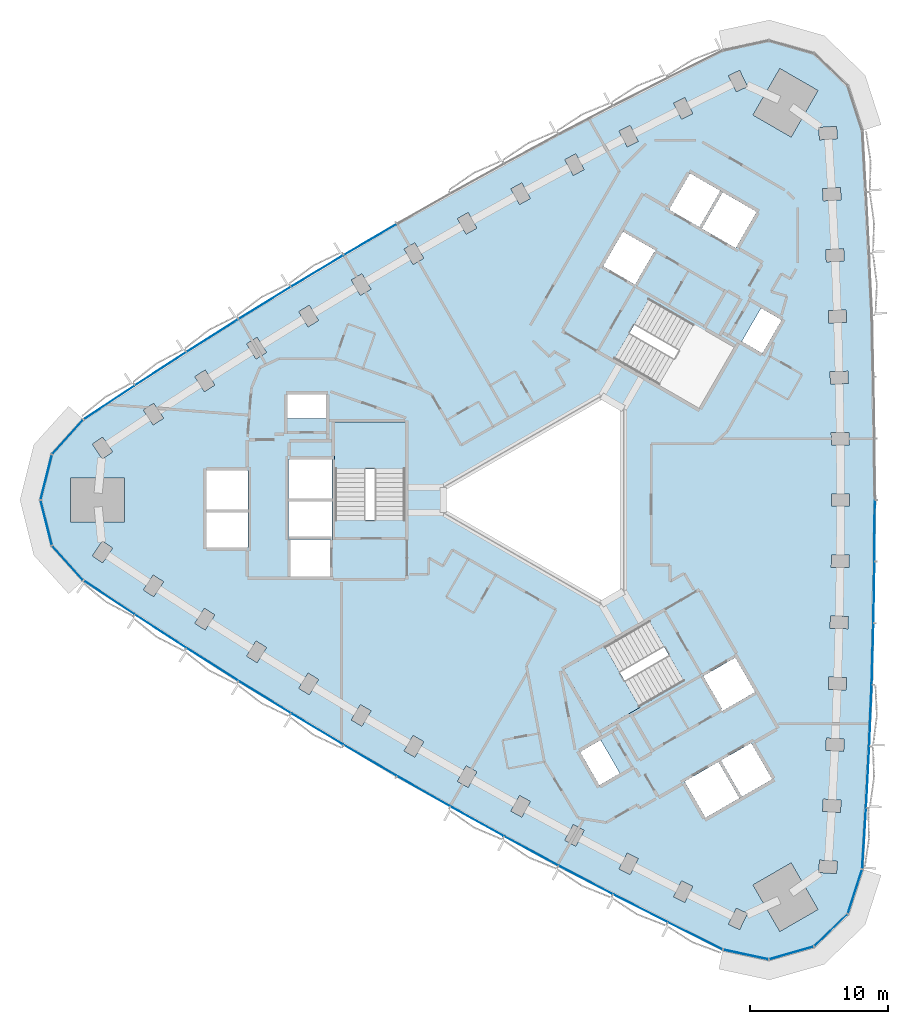
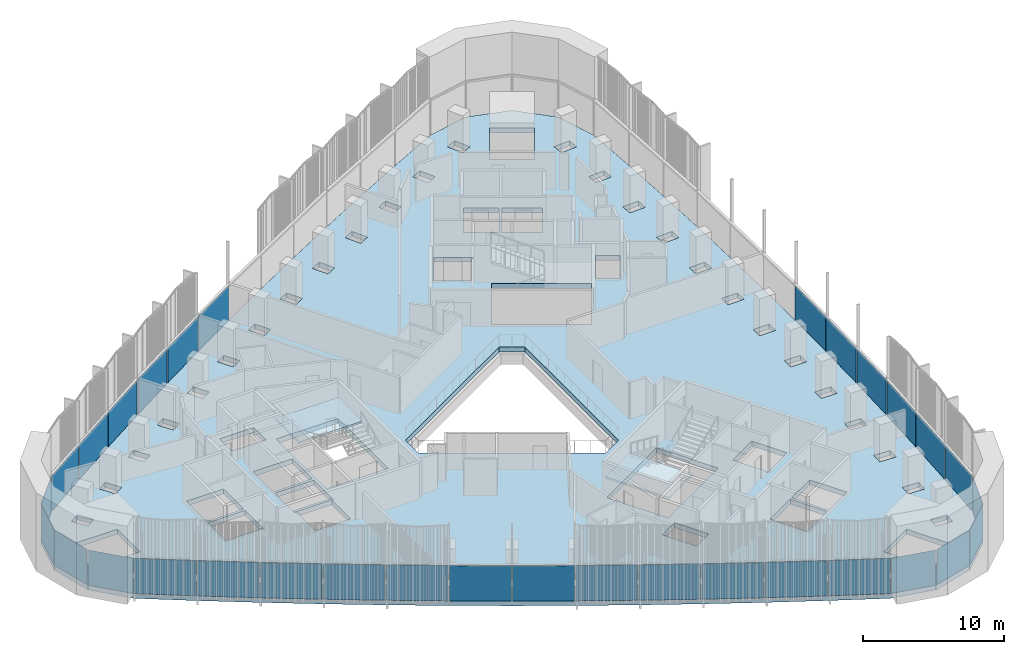
# One storey, part 6 of 15: 32 plates, 3 slabs, 5 elements without a shape of their own.
"""IFC4 building model written with IfcOpenShell, lengths in metres."""

from ifc_helpers import new_model, si_unit, direction, frame, origin, origin_2d, place, context, subcontext, project, spatial, polyline, rectangle, outline, extrude, material, layer, layer_set, type_object, element, aggregate, save


model = new_model("IFC4")

# Units and contexts
model_context = context("Model", 3, precision=1e-05, world=origin(), true_north=direction((0.0, 1.0)))
body_context = subcontext(model_context, "Body", "Model", "MODEL_VIEW")
ifc_project = project(units=[si_unit("LENGTHUNIT", "METRE"), si_unit("AREAUNIT", "SQUARE_METRE"), si_unit("VOLUMEUNIT", "CUBIC_METRE"), si_unit("PLANEANGLEUNIT", "RADIAN"), si_unit("MASSUNIT", "GRAM", prefix="KILO")], contexts=[model_context])

# Site, building, storey
site_placement = place(None, origin())
site = spatial("IfcSite", under=ifc_project, at=site_placement, CompositionType="ELEMENT")
building_placement = place(site_placement, origin())
building = spatial("IfcBuilding", under=site, at=building_placement, Name="Tamra Quay Hotel Tower", CompositionType="ELEMENT")
storey_placement = place(building_placement, frame((0.0, 0.0, 101.0)))
storey = spatial("IfcBuildingStorey", under=building, at=storey_placement, Name="L24", CompositionType="ELEMENT", Elevation=101.0)

# Stair, slab
ifc_material_1 = material(Name="Exit stair 2200 24 risers 150.0 going 342")
stair_type = type_object("IfcStairType", Name="Exit stair 2200 24 risers 150.0 going 342", PredefinedType="HALF_TURN_STAIR", material=ifc_material_1)
stair_1_placement = place(storey_placement, origin())
stair_1 = element("IfcStair", 1, at=stair_1_placement, inside=storey, type_object=stair_type, Name="L24 Exit stair ST3", PredefinedType="HALF_TURN_STAIR")
ifc_material_2 = material(Name="Concrete M70", Category="concrete")
ifc_layer_1 = layer(ifc_material_2, 0.175048828125)
ifc_layer_set_1 = layer_set([ifc_layer_1], Name="Concrete M70 stair landing 180")
slab_type_1 = type_object("IfcSlabType", Name="Concrete M70 stair landing 180", PredefinedType="LANDING", material=ifc_layer_set_1)
slab_1_placement = place(storey_placement, frame((0.0, 0.0, 1.625)))
slab_1 = element("IfcSlab", 2, at=slab_1_placement, type_object=slab_type_1, Name="ST3 landing 1", PredefinedType="LANDING", context=body_context, shape_type="SweptSolid", body=[
    extrude(outline(polyline([(-10.932373046875, 2.261962890625), (-10.932373046875, 5.679931640625), (-16.09130859375, 5.679931640625), (-16.09130859375, 2.261962890625), (-10.932373046875, 2.261962890625)])), origin(), (0.0, 0.0, 1.0), 0.175048828125),
])
aggregate(stair_1, [slab_1])

stair_2_placement = place(storey_placement, origin())
stair_2 = element("IfcStair", 3, at=stair_2_placement, inside=storey, type_object=stair_type, Name="L24 Exit stair ST2", PredefinedType="HALF_TURN_STAIR")
slab_2_placement = place(storey_placement, frame((0.0, 0.0, 1.625)))
slab_2 = element("IfcSlab", 4, at=slab_2_placement, type_object=slab_type_1, Name="ST2 landing 1", PredefinedType="LANDING", context=body_context, shape_type="SweptSolid", body=[
    extrude(outline(polyline([(3.50732421875, -10.5986328125), (0.547119140625, -12.3076171875), (3.126708984375, -16.775390625), (6.086669921875, -15.06640625), (3.50732421875, -10.5986328125)])), origin(), (0.0, 0.0, 1.0), 0.175048828125),
])
aggregate(stair_2, [slab_2])

# Slab
ifc_material_3 = material(Name="Concrete M60", Category="concrete")
ifc_layer_2 = layer(ifc_material_3, 0.425048828125)
ifc_layer_set_2 = layer_set([ifc_layer_2], Name="FLOOR SLAB PT 425")
slab_type_2 = type_object("IfcSlabType", Name="FLOOR SLAB PT 425", PredefinedType="FLOOR", material=ifc_layer_set_2)
slab_3_placement = place(storey_placement, frame((0.0, 0.0, -0.425048828125)))
element("IfcSlab", 5, at=slab_3_placement, inside=storey, type_object=slab_type_2, Name="SLAB-L24", PredefinedType="FLOOR", context=body_context, shape_type="SweptSolid", body=[
    extrude(outline(polyline([(22.506591796875, 22.354248046875), (22.736083984375, 17.886962890625), (22.914794921875, 13.417236328125), (23.04248046875, 8.94580078125), (23.119140625, 4.47314453125), (23.144775390625, 0.0), (23.119140625, -4.47314453125), (23.04248046875, -8.94580078125), (22.914794921875, -13.417236328125), (22.736083984375, -17.886962890625), (22.506591796875, -22.354248046875), (22.226318359375, -26.81787109375), (21.1767578125, -30.062255859375), (18.724609375, -32.43212890625), (15.4462890625, -33.370849609375), (12.11181640625, -32.657470703125), (8.10595703125, -30.66845703125), (4.122314453125, -28.633544921875), (0.162109375, -26.553466796875), (-3.77392578125, -24.42822265625), (-7.685791015625, -22.25830078125), (-11.572509765625, -20.0439453125), (-15.43359375, -17.78515625), (-19.2685546875, -15.482666015625), (-23.0771484375, -13.13623046875), (-26.858642578125, -10.74658203125), (-30.612548828125, -8.314208984375), (-34.337890625, -5.839599609375), (-36.623046875, -3.308349609375), (-37.449462890625, 0.0), (-36.623046875, 3.308349609375), (-34.337890625, 5.839599609375), (-30.612548828125, 8.314208984375), (-26.858642578125, 10.74658203125), (-23.0771484375, 13.13623046875), (-19.2685546875, 15.482666015625), (-15.43359375, 17.78515625), (-11.572509765625, 20.0439453125), (-7.685791015625, 22.25830078125), (-3.77392578125, 24.42822265625), (0.162109375, 26.553466796875), (4.122314453125, 28.633544921875), (8.10595703125, 30.66845703125), (12.11181640625, 32.657470703125), (15.4462890625, 33.370849609375), (18.724609375, 32.43212890625), (21.1767578125, 30.062255859375), (22.226318359375, 26.81787109375), (22.506591796875, 22.354248046875)]), holes=[polyline([(-14.884521484375, -15.9765625), (-14.1103515625, -16.435302734375), (-13.447509765625, -15.317138671875), (-14.2216796875, -14.858154296875), (-14.884521484375, -15.9765625)]), polyline([(-18.0234375, -12.569580078125), (-18.698974609375, -13.680419921875), (-17.929931640625, -14.14794921875), (-17.25439453125, -13.037353515625), (-18.0234375, -12.569580078125)]), polyline([(-21.798583984375, -10.23779296875), (-22.487060546875, -11.340576171875), (-21.723388671875, -11.817138671875), (-21.03515625, -10.714111328125), (-21.798583984375, -10.23779296875)]), polyline([(-25.547119140625, -7.86279296875), (-26.248046875, -8.9580078125), (-25.489990234375, -9.443115234375), (-24.789306640625, -8.34814453125), (-25.547119140625, -7.86279296875)]), polyline([(-29.268310546875, -5.445556640625), (-29.981689453125, -6.532470703125), (-29.229248046875, -7.026123046875), (-28.51611328125, -5.939453125), (-29.268310546875, -5.445556640625)]), polyline([(-16.3173828125, -2.85498046875), (-19.4072265625, -2.85498046875), (-19.4072265625, -2.89306640625), (-19.307373046875, -2.89306640625), (-19.307373046875, -5.544921875), (-16.417236328125, -5.544921875), (-16.417236328125, -2.89306640625), (-16.3173828125, -2.89306640625), (-16.3173828125, -2.85498046875)]), polyline([(-32.96240234375, -2.986083984375), (-33.6875, -4.06494140625), (-32.9404296875, -4.56689453125), (-32.215576171875, -3.488037109375), (-32.96240234375, -2.986083984375)]), polyline([(-22.3671875, -3.445068359375), (-22.3671875, -0.905029296875), (-25.4072265625, -0.905029296875), (-25.4072265625, -3.445068359375), (-22.3671875, -3.445068359375)]), polyline([(-19.417236328125, -2.89306640625), (-19.417236328125, -2.64501953125), (-16.307373046875, -2.64501953125), (-16.307373046875, -2.89306640625), (-16.26708984375, -2.89306640625), (-16.26708984375, -0.10498046875), (-19.45751953125, -0.10498046875), (-19.45751953125, -2.89306640625), (-19.417236328125, -2.89306640625)]), polyline([(-31.36376953125, 1.60009765625), (-35.263671875, 1.60009765625), (-35.263671875, -1.60009765625), (-31.36376953125, -1.60009765625), (-31.36376953125, 1.60009765625)]), polyline([(-25.4072265625, -0.695068359375), (-22.3671875, -0.695068359375), (-22.3671875, 2.14501953125), (-25.4072265625, 2.14501953125), (-25.4072265625, -0.695068359375)]), polyline([(-19.45751953125, 0.10498046875), (-16.26708984375, 0.10498046875), (-16.26708984375, 2.945068359375), (-19.45751953125, 2.945068359375), (-19.45751953125, 0.10498046875)]), polyline([(-16.036376953125, -1.455078125), (-10.9873046875, -1.455078125), (-10.9873046875, 5.625), (-16.036376953125, 5.625), (-16.036376953125, -1.455078125)]), polyline([(-32.215576171875, 3.488037109375), (-32.9404296875, 4.56689453125), (-33.6875, 4.06494140625), (-32.96240234375, 2.986083984375), (-32.215576171875, 3.488037109375)]), polyline([(-28.51611328125, 5.939453125), (-29.229248046875, 7.026123046875), (-29.981689453125, 6.532470703125), (-29.268310546875, 5.445556640625), (-28.51611328125, 5.939453125)]), polyline([(-19.50732421875, 7.64501953125), (-19.50732421875, 5.9150390625), (-16.71728515625, 5.9150390625), (-16.71728515625, 7.64501953125), (-19.50732421875, 7.64501953125)]), polyline([(-24.789306640625, 8.34814453125), (-25.489990234375, 9.443115234375), (-26.248046875, 8.9580078125), (-25.547119140625, 7.86279296875), (-24.789306640625, 8.34814453125)]), polyline([(-21.03515625, 10.714111328125), (-21.723388671875, 11.817138671875), (-22.487060546875, 11.340576171875), (-21.798583984375, 10.23779296875), (-21.03515625, 10.714111328125)]), polyline([(-17.25439453125, 13.037353515625), (-17.929931640625, 14.14794921875), (-18.698974609375, 13.680419921875), (-18.0234375, 12.569580078125), (-17.25439453125, 13.037353515625)]), polyline([(-13.447509765625, 15.317138671875), (-14.1103515625, 16.435302734375), (-14.884521484375, 15.9765625), (-14.2216796875, 14.858154296875), (-13.447509765625, 15.317138671875)]), polyline([(9.1142578125, -27.665283203125), (8.52978515625, -28.826416015625), (9.33349609375, -29.231201171875), (9.918212890625, -28.070068359375), (9.1142578125, -27.665283203125)]), polyline([(5.164794921875, -25.64208984375), (4.567138671875, -26.79638671875), (5.3662109375, -27.210205078125), (5.964111328125, -26.055908203125), (5.164794921875, -25.64208984375)]), polyline([(1.23876953125, -23.57421875), (0.627685546875, -24.721435546875), (1.422119140625, -25.14453125), (2.033203125, -23.9970703125), (1.23876953125, -23.57421875)]), polyline([(-2.663330078125, -21.46142578125), (-3.28759765625, -22.601806640625), (-2.498046875, -23.033935546875), (-1.873779296875, -21.8935546875), (-2.663330078125, -21.46142578125)]), polyline([(13.3056640625, -21.65576171875), (11.78564453125, -19.02294921875), (9.325927734375, -20.443115234375), (10.845947265625, -23.075927734375), (13.3056640625, -21.65576171875)]), polyline([(-6.541259765625, -19.304443359375), (-7.17822265625, -20.437744140625), (-6.393798828125, -20.878662109375), (-5.756591796875, -19.74560546875), (-6.541259765625, -19.304443359375)]), polyline([(1.73779296875, -18.300048828125), (3.1328125, -20.71630859375), (4.631103515625, -19.851318359375), (3.236083984375, -17.43505859375), (1.73779296875, -18.300048828125)]), polyline([(-10.394287109375, -17.103271484375), (-11.044189453125, -18.22900390625), (-10.264892578125, -18.67919921875), (-9.61474609375, -17.55322265625), (-10.394287109375, -17.103271484375)]), polyline([(10.68115234375, -12.790283203125), (12.05615234375, -15.171875), (11.969482421875, -15.2216796875), (12.03955078125, -15.343017578125), (14.455810546875, -13.947998046875), (13.0107421875, -11.4453125), (10.68115234375, -12.790283203125)]), polyline([(9.2783203125, -13.160400390625), (6.75390625, -8.78759765625), (0.622314453125, -12.32763671875), (3.146728515625, -16.7001953125), (9.2783203125, -13.160400390625)]), polyline([(-8.199951171875, 0.923828125), (-8.199951171875, -0.923828125), (3.300048828125, -7.563232421875), (4.89990234375, -6.639404296875), (4.89990234375, 6.639404296875), (3.300048828125, 7.563232421875), (-8.199951171875, 0.923828125)]), polyline([(6.758056640625, 14.615478515625), (4.2333984375, 10.242919921875), (10.364990234375, 6.702880859375), (12.889404296875, 11.075439453125), (6.758056640625, 14.615478515625)]), polyline([(5.736083984375, 15.645263671875), (7.111083984375, 18.02685546875), (7.19775390625, 17.976806640625), (7.267578125, 18.09814453125), (4.8515625, 19.4931640625), (3.406494140625, 16.990234375), (5.736083984375, 15.645263671875)]), polyline([(-9.61474609375, 17.55322265625), (-10.264892578125, 18.67919921875), (-11.044189453125, 18.22900390625), (-10.394287109375, 17.103271484375), (-9.61474609375, 17.55322265625)]), polyline([(-5.756591796875, 19.74560546875), (-6.393798828125, 20.878662109375), (-7.17822265625, 20.437744140625), (-6.541259765625, 19.304443359375), (-5.756591796875, 19.74560546875)]), polyline([(8.2001953125, 21.093017578125), (10.39990234375, 19.822998046875), (11.919921875, 22.455810546875), (9.72021484375, 23.725830078125), (8.2001953125, 21.093017578125)]), polyline([(-1.873779296875, 21.8935546875), (-2.498046875, 23.033935546875), (-3.28759765625, 22.601806640625), (-2.663330078125, 21.46142578125), (-1.873779296875, 21.8935546875)]), polyline([(2.033203125, 23.9970703125), (1.422119140625, 25.14453125), (0.627685546875, 24.721435546875), (1.23876953125, 23.57421875), (2.033203125, 23.9970703125)]), polyline([(5.964111328125, 26.055908203125), (5.3662109375, 27.210205078125), (4.567138671875, 26.79638671875), (5.164794921875, 25.64208984375), (5.964111328125, 26.055908203125)]), polyline([(9.918212890625, 28.070068359375), (9.33349609375, 29.231201171875), (8.52978515625, 28.826416015625), (9.1142578125, 27.665283203125), (9.918212890625, 28.070068359375)]), polyline([(13.0869140625, -29.643310546875), (12.51513671875, -30.810791015625), (13.323486328125, -31.206787109375), (13.895263671875, -30.039306640625), (13.0869140625, -29.643310546875)]), polyline([(14.296142578125, -27.9619140625), (16.24609375, -31.339111328125), (19.017333984375, -29.7392578125), (17.0673828125, -26.36181640625), (14.296142578125, -27.9619140625)]), polyline([(19.067138671875, -27.05322265625), (20.3642578125, -27.141845703125), (20.42529296875, -26.243896484375), (19.12841796875, -26.155517578125), (19.067138671875, -27.05322265625)]), polyline([(19.350341796875, -22.624267578125), (20.648193359375, -22.698486328125), (20.699462890625, -21.800048828125), (19.401611328125, -21.725830078125), (19.350341796875, -22.624267578125)]), polyline([(14.1669921875, -17.648193359375), (11.96728515625, -18.91796875), (13.487548828125, -21.55078125), (15.68701171875, -20.281005859375), (14.1669921875, -17.648193359375)]), polyline([(20.8818359375, -18.25244140625), (20.9228515625, -17.353515625), (19.624267578125, -17.2939453125), (19.5830078125, -18.193115234375), (20.8818359375, -18.25244140625)]), polyline([(19.765380859375, -13.75927734375), (21.064697265625, -13.803955078125), (21.095703125, -12.904541015625), (19.79638671875, -12.85986328125), (19.765380859375, -13.75927734375)]), polyline([(19.897216796875, -9.323974609375), (21.197021484375, -9.353759765625), (21.217529296875, -8.453857421875), (19.91796875, -8.424072265625), (19.897216796875, -9.323974609375)]), polyline([(19.978515625, -4.88720703125), (21.2783203125, -4.902099609375), (21.288818359375, -4.002197265625), (19.98876953125, -3.9873046875), (19.978515625, -4.88720703125)]), polyline([(20.009033203125, -0.449951171875), (21.30908203125, -0.449951171875), (21.30908203125, 0.449951171875), (20.009033203125, 0.449951171875), (20.009033203125, -0.449951171875)]), polyline([(19.98876953125, 3.9873046875), (21.288818359375, 4.002197265625), (21.2783203125, 4.902099609375), (19.978515625, 4.88720703125), (19.98876953125, 3.9873046875)]), polyline([(19.91796875, 8.424072265625), (21.217529296875, 8.453857421875), (21.197021484375, 9.353759765625), (19.897216796875, 9.323974609375), (19.91796875, 8.424072265625)]), polyline([(14.9794921875, 10.655029296875), (16.37451171875, 13.0712890625), (14.876220703125, 13.936279296875), (13.481201171875, 11.52001953125), (14.9794921875, 10.655029296875)]), polyline([(19.79638671875, 12.85986328125), (21.095703125, 12.904541015625), (21.064697265625, 13.803955078125), (19.765380859375, 13.75927734375), (19.79638671875, 12.85986328125)]), polyline([(19.624267578125, 17.2939453125), (20.9228515625, 17.353515625), (20.8818359375, 18.25244140625), (19.5830078125, 18.193115234375), (19.624267578125, 17.2939453125)]), polyline([(12.101806640625, 22.350830078125), (10.58154296875, 19.718017578125), (13.041259765625, 18.298095703125), (14.561279296875, 20.930908203125), (12.101806640625, 22.350830078125)]), polyline([(19.401611328125, 21.725830078125), (20.699462890625, 21.800048828125), (20.648193359375, 22.698486328125), (19.350341796875, 22.624267578125), (19.401611328125, 21.725830078125)]), polyline([(19.12841796875, 26.155517578125), (20.42529296875, 26.243896484375), (20.3642578125, 27.141845703125), (19.067138671875, 27.05322265625), (19.12841796875, 26.155517578125)]), polyline([(17.0673828125, 26.36181640625), (19.017333984375, 29.7392578125), (16.24609375, 31.339111328125), (14.296142578125, 27.9619140625), (17.0673828125, 26.36181640625)]), polyline([(13.895263671875, 30.039306640625), (13.323486328125, 31.206787109375), (12.51513671875, 30.810791015625), (13.0869140625, 29.643310546875), (13.895263671875, 30.039306640625)])]), origin(), (0.0, 0.0, 1.0), 0.425048828125),
])

# Curtain wall, plates
ifc_material_4 = material(Name="Aluminium 6063 anodised dark grey", Category="aluminium")
curtain_wall_type_1 = type_object("IfcCurtainWallType", Name="CW1 CURTAIN WALL", PredefinedType="NOTDEFINED", material=ifc_material_4)
curtain_wall_1_placement = place(storey_placement, origin())
curtain_wall_1 = element("IfcCurtainWall", 6, at=curtain_wall_1_placement, inside=storey, type_object=curtain_wall_type_1, Name="CW1 east face L24", PredefinedType="NOTDEFINED")
ifc_material_5 = material(Name="Glass clear laminated low-iron", Category="glass")
ifc_layer_3 = layer(ifc_material_5, 0.033935546875)
ifc_layer_set_3 = layer_set([ifc_layer_3], Name="GLASS PANEL CW1 Z2")
plate_type_1 = type_object("IfcPlateType", Name="GLASS PANEL CW1 Z2", PredefinedType="CURTAIN_PANEL", material=ifc_layer_set_3)
plate_1_placement = place(storey_placement, frame((22.366455078125, -24.5859375, 0.0), z_axis=(0.0, 0.0, 1.0), x_axis=(0.062669917068, 0.998034308776, 0.0)))
plate_1 = element("IfcPlate", 7, at=plate_1_placement, type_object=plate_type_1, Name="CW1 glass L24.E.1", PredefinedType="CURTAIN_PANEL", context=body_context, shape_type="SweptSolid", body=[
    extrude(rectangle(XDim=4.372314453125, YDim=0.033935546875, at=origin_2d()), origin(), (0.0, 0.0, 1.0), 3.034912109375),
])
plate_2_placement = place(storey_placement, frame((22.621337890625, -20.12060546875, 0.0), z_axis=(0.0, 0.0, 1.0), x_axis=(0.051320736558, 0.998682222731, 0.0)))
plate_2 = element("IfcPlate", 8, at=plate_2_placement, type_object=plate_type_1, Name="CW1 glass L24.E.2", PredefinedType="CURTAIN_PANEL", context=body_context, shape_type="SweptSolid", body=[
    extrude(rectangle(XDim=4.373291015625, YDim=0.033935546875, at=origin_2d()), origin(), (0.0, 0.0, 1.0), 3.034912109375),
])
plate_3_placement = place(storey_placement, frame((22.825439453125, -15.652099609375, 0.0), z_axis=(0.0, 0.0, 1.0), x_axis=(0.039943885581, 0.99920192454, 0.0)))
plate_3 = element("IfcPlate", 9, at=plate_3_placement, type_object=plate_type_1, Name="CW1 glass L24.E.3", PredefinedType="CURTAIN_PANEL", context=body_context, shape_type="SweptSolid", body=[
    extrude(rectangle(XDim=4.373291015625, YDim=0.033935546875, at=origin_2d()), origin(), (0.0, 0.0, 1.0), 3.034912109375),
])
plate_4_placement = place(storey_placement, frame((22.978759765625, -11.181396484375, 0.0), z_axis=(0.0, 0.0, 1.0), x_axis=(0.028546324212, 0.999592470647, 0.0)))
plate_4 = element("IfcPlate", 10, at=plate_4_placement, type_object=plate_type_1, Name="CW1 glass L24.E.4", PredefinedType="CURTAIN_PANEL", context=body_context, shape_type="SweptSolid", body=[
    extrude(rectangle(XDim=4.373291015625, YDim=0.033935546875, at=origin_2d()), origin(), (0.0, 0.0, 1.0), 3.034912109375),
])
plate_5_placement = place(storey_placement, frame((23.080810546875, -6.70947265625, 0.0), z_axis=(0.0, 0.0, 1.0), x_axis=(0.017133948461, 0.99985320313, 0.0)))
plate_5 = element("IfcPlate", 11, at=plate_5_placement, type_object=plate_type_1, Name="CW1 glass L24.E.5", PredefinedType="CURTAIN_PANEL", context=body_context, shape_type="SweptSolid", body=[
    extrude(rectangle(XDim=4.373291015625, YDim=0.033935546875, at=origin_2d()), origin(), (0.0, 0.0, 1.0), 3.034912109375),
])
plate_6_placement = place(storey_placement, frame((23.132080078125, -2.236572265625, 0.0), z_axis=(0.0, 0.0, 1.0), x_axis=(0.00571269185, 0.999983682443, 0.0)))
plate_6 = element("IfcPlate", 12, at=plate_6_placement, type_object=plate_type_1, Name="CW1 glass L24.E.6", PredefinedType="CURTAIN_PANEL", context=body_context, shape_type="SweptSolid", body=[
    extrude(rectangle(XDim=4.373291015625, YDim=0.033935546875, at=origin_2d()), origin(), (0.0, 0.0, 1.0), 3.034912109375),
])
aggregate(curtain_wall_1, [plate_1, plate_2, plate_3, plate_4, plate_5, plate_6])

curtain_wall_type_2 = type_object("IfcCurtainWallType", Name="CW2 CURTAIN WALL", PredefinedType="NOTDEFINED", material=ifc_material_4)
curtain_wall_2_placement = place(storey_placement, origin())
curtain_wall_2 = element("IfcCurtainWall", 13, at=curtain_wall_2_placement, inside=storey, type_object=curtain_wall_type_2, Name="CW2 north-west face L24", PredefinedType="NOTDEFINED")
ifc_layer_4 = layer(ifc_material_5, 0.033935546875)
ifc_layer_set_4 = layer_set([ifc_layer_4], Name="GLASS PANEL CW2 Z2")
plate_type_2 = type_object("IfcPlateType", Name="GLASS PANEL CW2 Z2", PredefinedType="CURTAIN_PANEL", material=ifc_layer_set_4)
plate_7_placement = place(storey_placement, frame((-13.5029296875, 18.91455078125, 0.0), z_axis=(0.0, 0.0, 1.0), x_axis=(-0.86315492644, -0.504939177488, 0.0)))
plate_7 = element("IfcPlate", 14, at=plate_7_placement, type_object=plate_type_2, Name="CW2 glass L24.NW.7", PredefinedType="CURTAIN_PANEL", context=body_context, shape_type="SweptSolid", body=[
    extrude(rectangle(XDim=4.373291015625, YDim=0.033935546875, at=origin_2d()), origin(), (0.0, 0.0, 1.0), 3.034912109375),
])
plate_8_placement = place(storey_placement, frame((-17.35107421875, 16.6337890625, 0.0), z_axis=(0.0, 0.0, 1.0), x_axis=(-0.857331299736, -0.5147650362, 0.0)))
plate_8 = element("IfcPlate", 15, at=plate_8_placement, type_object=plate_type_2, Name="CW2 glass L24.NW.8", PredefinedType="CURTAIN_PANEL", context=body_context, shape_type="SweptSolid", body=[
    extrude(rectangle(XDim=4.373291015625, YDim=0.033935546875, at=origin_2d()), origin(), (0.0, 0.0, 1.0), 3.034912109375),
])
plate_9_placement = place(storey_placement, frame((-21.1728515625, 14.309326171875, 0.0), z_axis=(0.0, 0.0, 1.0), x_axis=(-0.851399310906, -0.524518077276, 0.0)))
plate_9 = element("IfcPlate", 16, at=plate_9_placement, type_object=plate_type_2, Name="CW2 glass L24.NW.9", PredefinedType="CURTAIN_PANEL", context=body_context, shape_type="SweptSolid", body=[
    extrude(rectangle(XDim=4.373291015625, YDim=0.033935546875, at=origin_2d()), origin(), (0.0, 0.0, 1.0), 3.034912109375),
])
plate_10_placement = place(storey_placement, frame((-24.9677734375, 11.94140625, 0.0), z_axis=(0.0, 0.0, 1.0), x_axis=(-0.845362307372, -0.534193381909, 0.0)))
plate_10 = element("IfcPlate", 17, at=plate_10_placement, type_object=plate_type_2, Name="CW2 glass L24.NW.10", PredefinedType="CURTAIN_PANEL", context=body_context, shape_type="SweptSolid", body=[
    extrude(rectangle(XDim=4.373291015625, YDim=0.033935546875, at=origin_2d()), origin(), (0.0, 0.0, 1.0), 3.034912109375),
])
plate_11_placement = place(storey_placement, frame((-28.735595703125, 9.530517578125, 0.0), z_axis=(0.0, 0.0, 1.0), x_axis=(-0.839223806914, -0.543786172966, 0.0)))
plate_11 = element("IfcPlate", 18, at=plate_11_placement, type_object=plate_type_2, Name="CW2 glass L24.NW.11", PredefinedType="CURTAIN_PANEL", context=body_context, shape_type="SweptSolid", body=[
    extrude(rectangle(XDim=4.373291015625, YDim=0.033935546875, at=origin_2d()), origin(), (0.0, 0.0, 1.0), 3.034912109375),
])
plate_12_placement = place(storey_placement, frame((-32.475341796875, 7.076904296875, 0.0), z_axis=(0.0, 0.0, 1.0), x_axis=(-0.832988106715, -0.553290894622, 0.0)))
plate_12 = element("IfcPlate", 19, at=plate_12_placement, type_object=plate_type_2, Name="CW2 glass L24.NW.12", PredefinedType="CURTAIN_PANEL", context=body_context, shape_type="SweptSolid", body=[
    extrude(rectangle(XDim=4.372314453125, YDim=0.033935546875, at=origin_2d()), origin(), (0.0, 0.0, 1.0), 3.034912109375),
])
plate_13_placement = place(storey_placement, frame((-35.48046875, 4.573974609375, 0.0), z_axis=(0.0, 0.0, 1.0), x_axis=(-0.670087934649, -0.742281725383, 0.0)))
plate_13 = element("IfcPlate", 20, at=plate_13_placement, type_object=plate_type_2, Name="CW2 glass L24.NW.13", PredefinedType="CURTAIN_PANEL", context=body_context, shape_type="SweptSolid", body=[
    extrude(rectangle(XDim=3.31005859375, YDim=0.033935546875, at=origin_2d()), origin(), (0.0, 0.0, 1.0), 3.034912109375),
])
plate_14_placement = place(storey_placement, frame((-37.036376953125, 1.654296875, 0.0), z_axis=(0.0, 0.0, 1.0), x_axis=(-0.242338764242, -0.970191694123, 0.0)))
plate_14 = element("IfcPlate", 21, at=plate_14_placement, type_object=plate_type_2, Name="CW2 glass L24.NW.14", PredefinedType="CURTAIN_PANEL", context=body_context, shape_type="SweptSolid", body=[
    extrude(rectangle(XDim=3.31005859375, YDim=0.033935546875, at=origin_2d()), origin(), (0.0, 0.0, 1.0), 3.034912109375),
])
plate_15_placement = place(storey_placement, frame((-37.036376953125, -1.654296875, 0.0), z_axis=(0.0, 0.0, 1.0), x_axis=(0.242338764242, -0.970191694123, 0.0)))
plate_15 = element("IfcPlate", 22, at=plate_15_placement, type_object=plate_type_2, Name="CW2 glass L24.NW.15", PredefinedType="CURTAIN_PANEL", context=body_context, shape_type="SweptSolid", body=[
    extrude(rectangle(XDim=3.31005859375, YDim=0.033935546875, at=origin_2d()), origin(), (0.0, 0.0, 1.0), 3.034912109375),
])
plate_16_placement = place(storey_placement, frame((-35.48046875, -4.573974609375, 0.0), z_axis=(0.0, 0.0, 1.0), x_axis=(0.670087934649, -0.742281725383, 0.0)))
plate_16 = element("IfcPlate", 23, at=plate_16_placement, type_object=plate_type_2, Name="CW2 glass L24.NW.16", PredefinedType="CURTAIN_PANEL", context=body_context, shape_type="SweptSolid", body=[
    extrude(rectangle(XDim=3.31005859375, YDim=0.033935546875, at=origin_2d()), origin(), (0.0, 0.0, 1.0), 3.034912109375),
])
aggregate(curtain_wall_2, [plate_7, plate_8, plate_9, plate_10, plate_11, plate_12, plate_13, plate_14, plate_15, plate_16])

curtain_wall_type_3 = type_object("IfcCurtainWallType", Name="CW3 CURTAIN WALL", PredefinedType="NOTDEFINED", material=ifc_material_4)
curtain_wall_3_placement = place(storey_placement, origin())
curtain_wall_3 = element("IfcCurtainWall", 24, at=curtain_wall_3_placement, inside=storey, type_object=curtain_wall_type_3, Name="CW3 south-west face L24", PredefinedType="NOTDEFINED")
ifc_layer_5 = layer(ifc_material_5, 0.033935546875)
ifc_layer_set_5 = layer_set([ifc_layer_5], Name="GLASS PANEL CW3 Z2")
plate_type_3 = type_object("IfcPlateType", Name="GLASS PANEL CW3 Z2", PredefinedType="CURTAIN_PANEL", material=ifc_layer_set_5)
plate_17_placement = place(storey_placement, frame((-32.475341796875, -7.076904296875, 0.0), z_axis=(0.0, 0.0, 1.0), x_axis=(0.832988106715, -0.553290894622, 0.0)))
plate_17 = element("IfcPlate", 25, at=plate_17_placement, type_object=plate_type_3, Name="CW3 glass L24.SW.1", PredefinedType="CURTAIN_PANEL", context=body_context, shape_type="SweptSolid", body=[
    extrude(rectangle(XDim=4.372314453125, YDim=0.033935546875, at=origin_2d()), origin(), (0.0, 0.0, 1.0), 3.034912109375),
])
plate_18_placement = place(storey_placement, frame((-28.735595703125, -9.530517578125, 0.0), z_axis=(0.0, 0.0, 1.0), x_axis=(0.839223806914, -0.543786172966, 0.0)))
plate_18 = element("IfcPlate", 26, at=plate_18_placement, type_object=plate_type_3, Name="CW3 glass L24.SW.2", PredefinedType="CURTAIN_PANEL", context=body_context, shape_type="SweptSolid", body=[
    extrude(rectangle(XDim=4.373291015625, YDim=0.033935546875, at=origin_2d()), origin(), (0.0, 0.0, 1.0), 3.034912109375),
])
plate_19_placement = place(storey_placement, frame((-24.9677734375, -11.94140625, 0.0), z_axis=(0.0, 0.0, 1.0), x_axis=(0.845362307372, -0.534193381909, 0.0)))
plate_19 = element("IfcPlate", 27, at=plate_19_placement, type_object=plate_type_3, Name="CW3 glass L24.SW.3", PredefinedType="CURTAIN_PANEL", context=body_context, shape_type="SweptSolid", body=[
    extrude(rectangle(XDim=4.373291015625, YDim=0.033935546875, at=origin_2d()), origin(), (0.0, 0.0, 1.0), 3.034912109375),
])
plate_20_placement = place(storey_placement, frame((-21.1728515625, -14.309326171875, 0.0), z_axis=(0.0, 0.0, 1.0), x_axis=(0.851399310906, -0.524518077276, 0.0)))
plate_20 = element("IfcPlate", 28, at=plate_20_placement, type_object=plate_type_3, Name="CW3 glass L24.SW.4", PredefinedType="CURTAIN_PANEL", context=body_context, shape_type="SweptSolid", body=[
    extrude(rectangle(XDim=4.373291015625, YDim=0.033935546875, at=origin_2d()), origin(), (0.0, 0.0, 1.0), 3.034912109375),
])
plate_21_placement = place(storey_placement, frame((-17.35107421875, -16.6337890625, 0.0), z_axis=(0.0, 0.0, 1.0), x_axis=(0.857331299736, -0.5147650362, 0.0)))
plate_21 = element("IfcPlate", 29, at=plate_21_placement, type_object=plate_type_3, Name="CW3 glass L24.SW.5", PredefinedType="CURTAIN_PANEL", context=body_context, shape_type="SweptSolid", body=[
    extrude(rectangle(XDim=4.373291015625, YDim=0.033935546875, at=origin_2d()), origin(), (0.0, 0.0, 1.0), 3.034912109375),
])
plate_22_placement = place(storey_placement, frame((-13.5029296875, -18.91455078125, 0.0), z_axis=(0.0, 0.0, 1.0), x_axis=(0.86315492644, -0.504939177488, 0.0)))
plate_22 = element("IfcPlate", 30, at=plate_22_placement, type_object=plate_type_3, Name="CW3 glass L24.SW.6", PredefinedType="CURTAIN_PANEL", context=body_context, shape_type="SweptSolid", body=[
    extrude(rectangle(XDim=4.373291015625, YDim=0.033935546875, at=origin_2d()), origin(), (0.0, 0.0, 1.0), 3.034912109375),
])
plate_23_placement = place(storey_placement, frame((-9.629150390625, -21.151123046875, 0.0), z_axis=(0.0, 0.0, 1.0), x_axis=(0.86886761829, -0.495044504955, 0.0)))
plate_23 = element("IfcPlate", 31, at=plate_23_placement, type_object=plate_type_3, Name="CW3 glass L24.SW.7", PredefinedType="CURTAIN_PANEL", context=body_context, shape_type="SweptSolid", body=[
    extrude(rectangle(XDim=4.373291015625, YDim=0.033935546875, at=origin_2d()), origin(), (0.0, 0.0, 1.0), 3.034912109375),
])
plate_24_placement = place(storey_placement, frame((-5.729736328125, -23.34326171875, 0.0), z_axis=(0.0, 0.0, 1.0), x_axis=(0.874465248197, -0.485088166931, 0.0)))
plate_24 = element("IfcPlate", 32, at=plate_24_placement, type_object=plate_type_3, Name="CW3 glass L24.SW.8", PredefinedType="CURTAIN_PANEL", context=body_context, shape_type="SweptSolid", body=[
    extrude(rectangle(XDim=4.373291015625, YDim=0.033935546875, at=origin_2d()), origin(), (0.0, 0.0, 1.0), 3.034912109375),
])
plate_25_placement = place(storey_placement, frame((-1.805908203125, -25.490966796875, 0.0), z_axis=(0.0, 0.0, 1.0), x_axis=(0.879945635118, -0.475074393371, 0.0)))
plate_25 = element("IfcPlate", 33, at=plate_25_placement, type_object=plate_type_3, Name="CW3 glass L24.SW.9", PredefinedType="CURTAIN_PANEL", context=body_context, shape_type="SweptSolid", body=[
    extrude(rectangle(XDim=4.373291015625, YDim=0.033935546875, at=origin_2d()), origin(), (0.0, 0.0, 1.0), 3.034912109375),
])
plate_26_placement = place(storey_placement, frame((2.142333984375, -27.593505859375, 0.0), z_axis=(0.0, 0.0, 1.0), x_axis=(0.885306192952, -0.465008542631, 0.0)))
plate_26 = element("IfcPlate", 34, at=plate_26_placement, type_object=plate_type_3, Name="CW3 glass L24.SW.10", PredefinedType="CURTAIN_PANEL", context=body_context, shape_type="SweptSolid", body=[
    extrude(rectangle(XDim=4.373291015625, YDim=0.033935546875, at=origin_2d()), origin(), (0.0, 0.0, 1.0), 3.034912109375),
])
plate_27_placement = place(storey_placement, frame((6.1142578125, -29.65087890625, 0.0), z_axis=(0.0, 0.0, 1.0), x_axis=(0.890544543472, -0.454896049765, 0.0)))
plate_27 = element("IfcPlate", 35, at=plate_27_placement, type_object=plate_type_3, Name="CW3 glass L24.SW.11", PredefinedType="CURTAIN_PANEL", context=body_context, shape_type="SweptSolid", body=[
    extrude(rectangle(XDim=4.373291015625, YDim=0.033935546875, at=origin_2d()), origin(), (0.0, 0.0, 1.0), 3.034912109375),
])
plate_28_placement = place(storey_placement, frame((10.10888671875, -31.662841796875, 0.0), z_axis=(0.0, 0.0, 1.0), x_axis=(0.895658023783, -0.444743414154, 0.0)))
plate_28 = element("IfcPlate", 36, at=plate_28_placement, type_object=plate_type_3, Name="CW3 glass L24.SW.12", PredefinedType="CURTAIN_PANEL", context=body_context, shape_type="SweptSolid", body=[
    extrude(rectangle(XDim=4.372314453125, YDim=0.033935546875, at=origin_2d()), origin(), (0.0, 0.0, 1.0), 3.034912109375),
])
plate_29_placement = place(storey_placement, frame((13.779052734375, -33.01416015625, 0.0), z_axis=(0.0, 0.0, 1.0), x_axis=(0.977878798271, -0.209172311484, 0.0)))
plate_29 = element("IfcPlate", 37, at=plate_29_placement, type_object=plate_type_3, Name="CW3 glass L24.SW.13", PredefinedType="CURTAIN_PANEL", context=body_context, shape_type="SweptSolid", body=[
    extrude(rectangle(XDim=3.31005859375, YDim=0.033935546875, at=origin_2d()), origin(), (0.0, 0.0, 1.0), 3.034912109375),
])
plate_30_placement = place(storey_placement, frame((17.08544921875, -32.9013671875, 0.0), z_axis=(0.0, 0.0, 1.0), x_axis=(0.961380035772, 0.275224320906, 0.0)))
plate_30 = element("IfcPlate", 38, at=plate_30_placement, type_object=plate_type_3, Name="CW3 glass L24.SW.14", PredefinedType="CURTAIN_PANEL", context=body_context, shape_type="SweptSolid", body=[
    extrude(rectangle(XDim=3.31005859375, YDim=0.033935546875, at=origin_2d()), origin(), (0.0, 0.0, 1.0), 3.034912109375),
])
plate_31_placement = place(storey_placement, frame((19.95068359375, -31.247314453125, 0.0), z_axis=(0.0, 0.0, 1.0), x_axis=(0.71904127153, 0.694967373217, 0.0)))
plate_31 = element("IfcPlate", 39, at=plate_31_placement, type_object=plate_type_3, Name="CW3 glass L24.SW.15", PredefinedType="CURTAIN_PANEL", context=body_context, shape_type="SweptSolid", body=[
    extrude(rectangle(XDim=3.31005859375, YDim=0.033935546875, at=origin_2d()), origin(), (0.0, 0.0, 1.0), 3.034912109375),
])
plate_32_placement = place(storey_placement, frame((21.70166015625, -28.43994140625, 0.0), z_axis=(0.0, 0.0, 1.0), x_axis=(0.307790863622, 0.951454036867, 0.0)))
plate_32 = element("IfcPlate", 40, at=plate_32_placement, type_object=plate_type_3, Name="CW3 glass L24.SW.16", PredefinedType="CURTAIN_PANEL", context=body_context, shape_type="SweptSolid", body=[
    extrude(rectangle(XDim=3.31005859375, YDim=0.033935546875, at=origin_2d()), origin(), (0.0, 0.0, 1.0), 3.034912109375),
])
aggregate(curtain_wall_3, [plate_17, plate_18, plate_19, plate_20, plate_21, plate_22, plate_23, plate_24, plate_25, plate_26, plate_27, plate_28, plate_29, plate_30, plate_31, plate_32])

save(model, "model.ifc")
